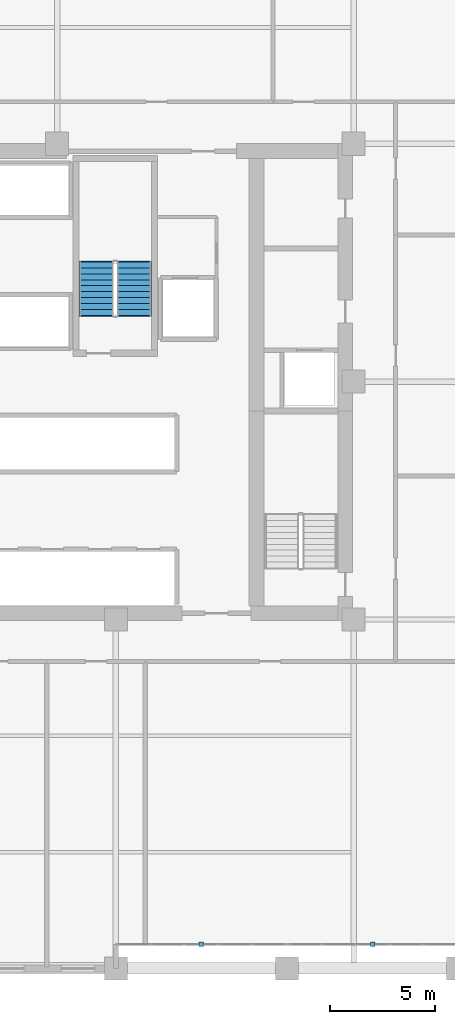
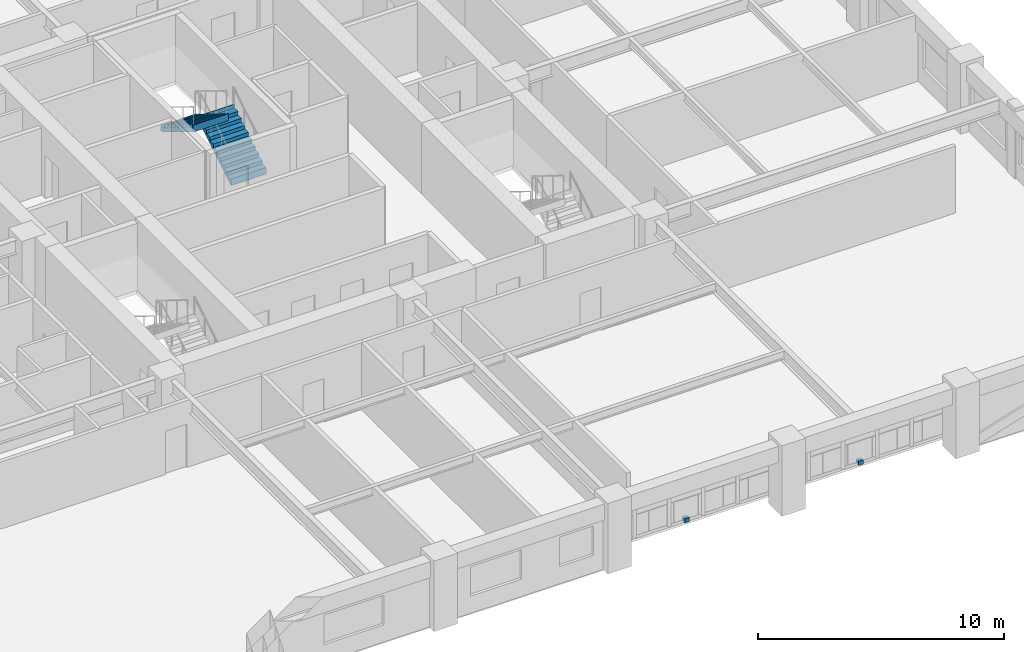
# One storey, part 11 of 13: 2 discrete accessories, 2 stair flights, 1 element without a shape of its own.
"""IFC4 building model written with IfcOpenShell, lengths in metres."""

import ifcopenshell
import ifcopenshell.guid

model = None  # the IFC model being written
_history = None  # IfcOwnerHistory: only IFC2X3 demands one
_inside = {}  # id of a spatial element -> (the spatial element, [elements in it])
_under = {}  # id of a project, library or spatial element -> (it, [spatial elements below it])
_declared = {}  # id of a project -> (the project, [libraries it declares])
_typed = {}  # id of a type object -> (the type object, [elements of that type])
_made_of = {}  # id of a material, layer set ... -> (it, [elements and type objects made of it])


def new_model(schema):
    """Start an empty IFC model of exactly this schema.

    Asked for "IFC4X3", IfcOpenShell would pick the latest addendum, in which some entities
    have other attributes; the version numbers below select the first issue.
    IFC2X3 requires an IfcOwnerHistory on every rooted entity: one is made here for all.
    """
    global model, _history
    if schema == "IFC4X3":
        model = ifcopenshell.file(schema_version=(4, 3, 0, 0))
    else:
        model = ifcopenshell.file(schema=schema)
    _inside.clear()
    _under.clear()
    _declared.clear()
    _typed.clear()
    _made_of.clear()
    _history = None
    if model.schema == "IFC2X3":
        org = make("IfcOrganization", Name="unknown")
        user = make(
            "IfcPersonAndOrganization",
            ThePerson=make("IfcPerson", FamilyName="unknown"),
            TheOrganization=org,
        )
        app = make(
            "IfcApplication",
            ApplicationDeveloper=org,
            Version="unknown",
            ApplicationFullName="unknown",
            ApplicationIdentifier="unknown",
        )
        _history = make(
            "IfcOwnerHistory",
            OwningUser=user,
            OwningApplication=app,
            ChangeAction="ADDED",
            CreationDate=0,
        )
    return model


def make(cls, **values):
    """One entity of the class cls with the attributes given. An attribute that is None is left unset."""
    return model.create_entity(
        cls, **{name: value for name, value in values.items() if value is not None}
    )


def rooted(cls, **values):
    """An entity with a GlobalId (a new one), such as an element, a storey or a relation."""
    return make(cls, GlobalId=ifcopenshell.guid.new(), OwnerHistory=_history, **values)


def si_unit(unit_type, name, prefix=None):
    """IfcSIUnit, for example si_unit("LENGTHUNIT", "METRE", prefix="MILLI")."""
    return make("IfcSIUnit", UnitType=unit_type, Prefix=prefix, Name=name)


def assignment(units):
    """IfcUnitAssignment: the units of a project."""
    return None if units is None else make("IfcUnitAssignment", Units=units)


def point(xyz):
    """IfcCartesianPoint."""
    return None if xyz is None else make("IfcCartesianPoint", Coordinates=xyz)


def direction(xyz):
    """IfcDirection."""
    return None if xyz is None else make("IfcDirection", DirectionRatios=xyz)


def frame(location, z_axis=None, x_axis=None):
    """IfcAxis2Placement3D, a coordinate frame: its origin and axes. An axis left out is left unset."""
    return make(
        "IfcAxis2Placement3D",
        Location=point(location),
        Axis=direction(z_axis),
        RefDirection=direction(x_axis),
    )


def frame_2d(location, x_axis=None):
    """IfcAxis2Placement2D, a coordinate frame in the plane: its origin and x axis."""
    return make(
        "IfcAxis2Placement2D", Location=point(location), RefDirection=direction(x_axis)
    )


def origin():
    """The frame at (0, 0, 0) with its axes left unset."""
    return frame((0.0, 0.0, 0.0))


def origin_2d():
    """The frame at (0, 0) in the plane with its x axis left unset."""
    return frame_2d((0.0, 0.0))


def place(relative_to, where):
    """IfcLocalPlacement: puts the frame where relative to a parent placement (None: the world)."""
    return make(
        "IfcLocalPlacement", PlacementRelTo=relative_to, RelativePlacement=where
    )


def context(
    kind, dimensions, precision=None, world=None, true_north=None, identifier=None
):
    """IfcGeometricRepresentationContext, for example the 3D "Model" context."""
    return make(
        "IfcGeometricRepresentationContext",
        ContextIdentifier=identifier,
        ContextType=kind,
        CoordinateSpaceDimension=dimensions,
        Precision=precision,
        WorldCoordinateSystem=world,
        TrueNorth=true_north,
    )


def subcontext(parent, identifier, kind, view, scale=None):
    """IfcGeometricRepresentationSubContext, for example "Body" below "Model"."""
    return make(
        "IfcGeometricRepresentationSubContext",
        ContextIdentifier=identifier,
        ContextType=kind,
        ParentContext=parent,
        TargetScale=scale,
        TargetView=view,
    )


def project(units=None, contexts=None):
    """IfcProject with its units and contexts."""
    return rooted(
        "IfcProject",
        Name="project",
        RepresentationContexts=contexts,
        UnitsInContext=assignment(units),
    )


def spatial(cls, under=None, at=None, **own):
    """A site, building, storey or space (cls), placed at a placement, below another one or the project."""
    s = rooted(cls, ObjectPlacement=at, **own)
    if under is not None:
        _under.setdefault(under.id(), (under, []))[1].append(s)
    return s


def polyline(points):
    """IfcPolyline through the points."""
    return make("IfcPolyline", Points=[point(p) for p in points])


def profile(cls, at=None, kind="AREA", **sizes):
    """A parametric profile (cls). Its sizes go by their IFC names, for example OverallWidth=200.0."""
    return make(cls, ProfileType=kind, Position=at, **sizes)


def rectangle(**sizes):
    """IfcRectangleProfileDef."""
    return profile("IfcRectangleProfileDef", **sizes)


def outline(outer, holes=None, kind="AREA"):
    """IfcArbitraryClosedProfileDef: a profile drawn as a closed curve; with holes, ...WithVoids."""
    if holes is None:
        return make("IfcArbitraryClosedProfileDef", ProfileType=kind, OuterCurve=outer)
    return make(
        "IfcArbitraryProfileDefWithVoids",
        ProfileType=kind,
        OuterCurve=outer,
        InnerCurves=holes,
    )


def extrude(swept, where, along, depth):
    """IfcExtrudedAreaSolid: the profile swept, set in the frame where, extruded along a direction by depth."""
    return make(
        "IfcExtrudedAreaSolid",
        SweptArea=swept,
        Position=where,
        ExtrudedDirection=direction(along),
        Depth=depth,
    )


def shape(context_of_items, identifier, shape_type, items):
    """IfcShapeRepresentation: the items that make up one representation, for example the "Body"."""
    return make(
        "IfcShapeRepresentation",
        ContextOfItems=context_of_items,
        RepresentationIdentifier=identifier,
        RepresentationType=shape_type,
        Items=items,
    )


def material(Name=None, Category=None):
    """IfcMaterial."""
    return make("IfcMaterial", Name=Name, Category=Category)


def made_of(thing, what):
    """Note that an element or type object is made of a material, layer set ...; save() writes the relation."""
    if what is not None:
        _made_of.setdefault(what.id(), (what, []))[1].append(thing)
    return thing


def type_object(cls, material=None, **own):
    """A type object (cls), such as IfcWallType, which elements share."""
    return made_of(rooted(cls, **own), material)


def element(
    cls,
    number,
    at=None,
    inside=None,
    cuts=None,
    type_object=None,
    material=None,
    context=None,
    identifier="Body",
    shape_type=None,
    held_by="IfcProductDefinitionShape",
    body=None,
    shapes=None,
    **own,
):
    """One element of the class cls, such as IfcWall. Its Tag is "e" and its number.

    at: its placement. inside: the storey or other place that contains it. cuts: it is an
    opening in that element (IfcRelVoidsElement). A single representation is given by context,
    identifier, shape_type and body (its items); several are given by shapes. held_by: the class
    of the entity that holds the representations. save() writes the other relations.
    """
    e = rooted(cls, Tag="e%d" % number, ObjectPlacement=at, **own)
    if body is not None:
        shapes = [shape(context, identifier, shape_type, body)]
    if shapes is not None:
        e.Representation = make(held_by, Representations=shapes)
    if inside is not None:
        _inside.setdefault(inside.id(), (inside, []))[1].append(e)
    if cuts is not None:
        rooted(
            "IfcRelVoidsElement", RelatingBuildingElement=cuts, RelatedOpeningElement=e
        )
    if type_object is not None:
        _typed.setdefault(type_object.id(), (type_object, []))[1].append(e)
    return made_of(e, material)


def aggregate(whole, parts):
    """IfcRelAggregates: a whole, such as a stair, and the parts it consists of."""
    return rooted("IfcRelAggregates", RelatingObject=whole, RelatedObjects=parts)


def save(model, path):
    """Write the relations noted so far, then the file.

    IfcRelAggregates (storeys below a building ...), IfcRelContainedInSpatialStructure (elements
    in a storey), IfcRelDefinesByType, IfcRelAssociatesMaterial and IfcRelDeclares: one each for
    every whole, place, type object, material and project.
    """
    for whole, parts in _under.values():
        aggregate(whole, parts)
    for where, things in _inside.values():
        rooted(
            "IfcRelContainedInSpatialStructure",
            RelatedElements=things,
            RelatingStructure=where,
        )
    for kind, things in _typed.values():
        rooted("IfcRelDefinesByType", RelatedObjects=things, RelatingType=kind)
    for what, things in _made_of.values():
        rooted("IfcRelAssociatesMaterial", RelatedObjects=things, RelatingMaterial=what)
    for by, libraries in _declared.values():
        rooted("IfcRelDeclares", RelatingContext=by, RelatedDefinitions=libraries)
    model.write(path)


model = new_model("IFC4")

# Units and contexts
model_context = context("Model", 3, precision=1e-05, world=origin(), true_north=direction((0.0, 1.0)))
body_context = subcontext(model_context, "Body", "Model", "MODEL_VIEW")
ifc_project = project(units=[si_unit("LENGTHUNIT", "METRE"), si_unit("AREAUNIT", "SQUARE_METRE"), si_unit("VOLUMEUNIT", "CUBIC_METRE"), si_unit("PLANEANGLEUNIT", "RADIAN"), si_unit("MASSUNIT", "GRAM", prefix="KILO")], contexts=[model_context])

# Site, building, storey
site_placement = place(None, origin())
site = spatial("IfcSite", under=ifc_project, at=site_placement, CompositionType="ELEMENT")
building_placement = place(site_placement, origin())
building = spatial("IfcBuilding", under=site, at=building_placement, Name="Nhamokura Convention Tower", CompositionType="ELEMENT")
storey_placement = place(building_placement, frame((0.0, 0.0, 63.35009765625)))
storey = spatial("IfcBuildingStorey", under=building, at=storey_placement, Name="L14", CompositionType="ELEMENT", Elevation=63.35009765625)

# Stair, stair flights
ifc_material_1 = material(Name="Concrete C40/50", Category="concrete")
stair_type = type_object("IfcStairType", Name="TowerCoreStair_1650", PredefinedType="HALF_TURN_STAIR", material=ifc_material_1)
stair_placement = place(storey_placement, origin())
stair = element("IfcStair", 1, at=stair_placement, inside=storey, type_object=stair_type, Name="L14 North Core Smokeproof Stair ST-03", PredefinedType="HALF_TURN_STAIR")
ifc_material_2 = material(Name="Concrete C40/50", Category="concrete")
stair_flight_type = type_object("IfcStairFlightType", Name="TowerCoreStair_1650_Flight", PredefinedType="STRAIGHT", material=ifc_material_2)
stair_flight_1_placement = place(storey_placement, frame((32.875, 35.14990234375, 0.0), z_axis=(0.0, 0.0, 1.0), x_axis=(0.0, 1.0, 0.0)))
stair_flight_1 = element("IfcStairFlight", 2, at=stair_flight_1_placement, type_object=stair_flight_type, Name="ST-03 flight 1", NumberOfRisers=10, NumberOfTreads=9, PredefinedType="STRAIGHT", RiserHeight=0.175, TreadLength=0.285, context=body_context, shape_type="SweptSolid", body=[
    extrude(outline(polyline([(-0.0419921875, 0.0), (0.0, 0.175048828125), (0.284912109375, 0.175048828125), (0.284912109375, 0.35009765625), (0.570068359375, 0.35009765625), (0.570068359375, 0.52490234375), (0.85498046875, 0.52490234375), (0.85498046875, 0.699951171875), (1.139892578125, 0.699951171875), (1.139892578125, 0.875), (1.425048828125, 0.875), (1.425048828125, 1.050048828125), (1.7099609375, 1.050048828125), (1.7099609375, 1.22509765625), (1.9951171875, 1.22509765625), (1.9951171875, 1.39990234375), (2.280029296875, 1.39990234375), (2.280029296875, 1.574951171875), (2.56494140625, 1.574951171875), (2.56494140625, 1.75), (2.60693359375, 1.75), (2.60693359375, 1.399169921875), (2.56494140625, 1.399169921875), (0.286376953125, 0.0), (0.02001953125, -0.1298828125), (-0.0419921875, -0.1298828125), (-0.0419921875, 0.0)])), frame((0.0, 0.824951171875, 0.0), z_axis=(0.0, -1.0, 0.0), x_axis=(1.0, 0.0, 0.0)), (0.0, 0.0, 1.0), 1.64990234375),
])
stair_flight_2_placement = place(storey_placement, frame((31.074951171875, 37.715087890625, 1.75), z_axis=(0.0, 0.0, 1.0), x_axis=(0.0, -1.0, 0.0)))
stair_flight_2 = element("IfcStairFlight", 3, at=stair_flight_2_placement, type_object=stair_flight_type, Name="ST-03 flight 2", NumberOfRisers=10, NumberOfTreads=9, PredefinedType="STRAIGHT", RiserHeight=0.175, TreadLength=0.285, context=body_context, shape_type="SweptSolid", body=[
    extrude(outline(polyline([(-0.0419921875, 0.0), (0.0, 0.175048828125), (0.284912109375, 0.175048828125), (0.284912109375, 0.35009765625), (0.570068359375, 0.35009765625), (0.570068359375, 0.52490234375), (0.85498046875, 0.52490234375), (0.85498046875, 0.699951171875), (1.139892578125, 0.699951171875), (1.139892578125, 0.875), (1.425048828125, 0.875), (1.425048828125, 1.050048828125), (1.7099609375, 1.050048828125), (1.7099609375, 1.22509765625), (1.9951171875, 1.22509765625), (1.9951171875, 1.39990234375), (2.280029296875, 1.39990234375), (2.280029296875, 1.574951171875), (2.56494140625, 1.574951171875), (2.56494140625, 1.75), (2.60693359375, 1.75), (2.60693359375, 1.399169921875), (2.56494140625, 1.399169921875), (0.286376953125, 0.0), (0.02001953125, -0.1298828125), (-0.0419921875, -0.1298828125), (-0.0419921875, 0.0)])), frame((0.0, 0.824951171875, 0.0), z_axis=(0.0, -1.0, 0.0), x_axis=(1.0, 0.0, 0.0)), (0.0, 0.0, 1.0), 1.64990234375),
])
aggregate(stair, [stair_flight_1, stair_flight_2])

# Discrete accessories
ifc_material_3 = material(Name="Steel ASTM A572 Gr 50", Category="steel")
discrete_accessory_type = type_object("IfcDiscreteAccessoryType", Name="FacadeOutstandBracket", PredefinedType="BRACKET", material=ifc_material_3)
for number, where, z_axis, x_axis, name in (
    (4, (36.083251953125, 5.14990234375, -0.02001953125), (0.0, 0.0, 1.0), (1.0, 0.0, 0.0), "L14 Scale Slot Base Shoe Bracket SOUTH 3"),
    (5, (44.25, 5.14990234375, -0.02001953125), (0.0, 0.0, 1.0), (1.0, 0.0, 0.0), "L14 Scale Slot Base Shoe Bracket SOUTH 4"),
):
    element("IfcDiscreteAccessory", number, at=place(storey_placement, frame(where, z_axis=z_axis, x_axis=x_axis)), inside=storey, type_object=discrete_accessory_type, Name=name, PredefinedType="BRACKET", context=body_context, shape_type="SweptSolid", body=[
        extrude(rectangle(XDim=0.219970703125, YDim=0.219970703125, at=origin_2d()), origin(), (0.0, 0.0, 1.0), 0.199951171875),
    ])

save(model, "model.ifc")
